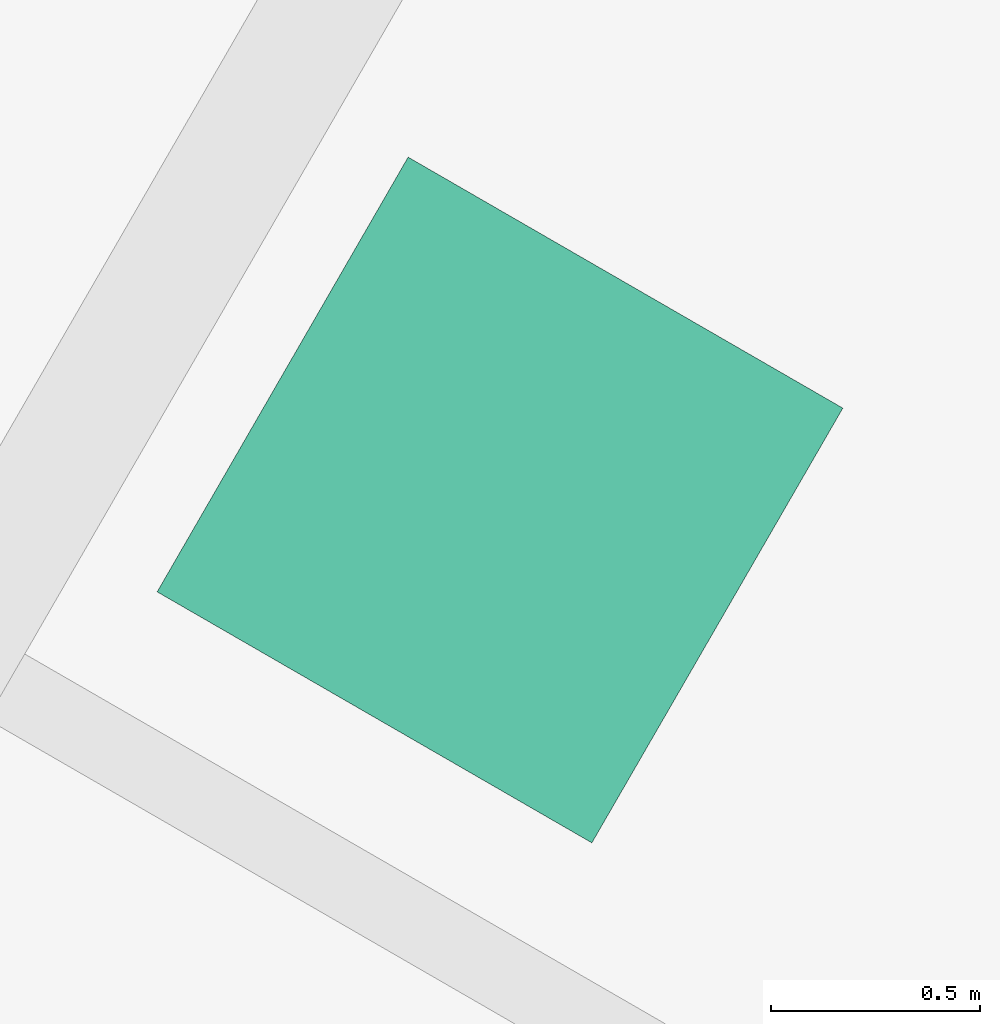
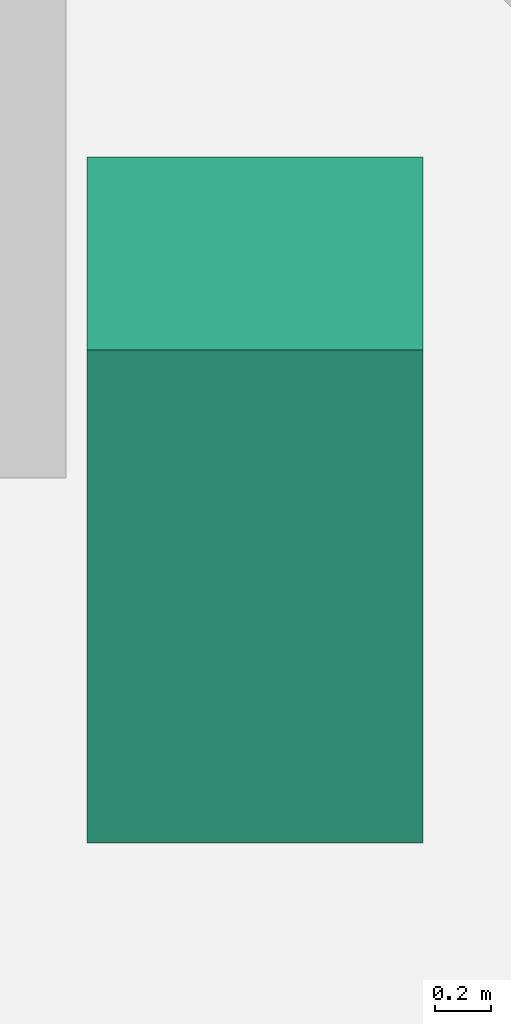
# One storey, part 9 of 9: 1 tank.
"""IFC4 building model written with IfcOpenShell, lengths in metres."""

import ifcopenshell
import ifcopenshell.guid

model = None  # the IFC model being written
_history = None  # IfcOwnerHistory: only IFC2X3 demands one
_inside = {}  # id of a spatial element -> (the spatial element, [elements in it])
_under = {}  # id of a project, library or spatial element -> (it, [spatial elements below it])
_declared = {}  # id of a project -> (the project, [libraries it declares])
_typed = {}  # id of a type object -> (the type object, [elements of that type])
_made_of = {}  # id of a material, layer set ... -> (it, [elements and type objects made of it])


def new_model(schema):
    """Start an empty IFC model of exactly this schema.

    Asked for "IFC4X3", IfcOpenShell would pick the latest addendum, in which some entities
    have other attributes; the version numbers below select the first issue.
    IFC2X3 requires an IfcOwnerHistory on every rooted entity: one is made here for all.
    """
    global model, _history
    if schema == "IFC4X3":
        model = ifcopenshell.file(schema_version=(4, 3, 0, 0))
    else:
        model = ifcopenshell.file(schema=schema)
    _inside.clear()
    _under.clear()
    _declared.clear()
    _typed.clear()
    _made_of.clear()
    _history = None
    if model.schema == "IFC2X3":
        org = make("IfcOrganization", Name="unknown")
        user = make(
            "IfcPersonAndOrganization",
            ThePerson=make("IfcPerson", FamilyName="unknown"),
            TheOrganization=org,
        )
        app = make(
            "IfcApplication",
            ApplicationDeveloper=org,
            Version="unknown",
            ApplicationFullName="unknown",
            ApplicationIdentifier="unknown",
        )
        _history = make(
            "IfcOwnerHistory",
            OwningUser=user,
            OwningApplication=app,
            ChangeAction="ADDED",
            CreationDate=0,
        )
    return model


def make(cls, **values):
    """One entity of the class cls with the attributes given. An attribute that is None is left unset."""
    return model.create_entity(
        cls, **{name: value for name, value in values.items() if value is not None}
    )


def rooted(cls, **values):
    """An entity with a GlobalId (a new one), such as an element, a storey or a relation."""
    return make(cls, GlobalId=ifcopenshell.guid.new(), OwnerHistory=_history, **values)


def si_unit(unit_type, name, prefix=None):
    """IfcSIUnit, for example si_unit("LENGTHUNIT", "METRE", prefix="MILLI")."""
    return make("IfcSIUnit", UnitType=unit_type, Prefix=prefix, Name=name)


def assignment(units):
    """IfcUnitAssignment: the units of a project."""
    return None if units is None else make("IfcUnitAssignment", Units=units)


def point(xyz):
    """IfcCartesianPoint."""
    return None if xyz is None else make("IfcCartesianPoint", Coordinates=xyz)


def direction(xyz):
    """IfcDirection."""
    return None if xyz is None else make("IfcDirection", DirectionRatios=xyz)


def frame(location, z_axis=None, x_axis=None):
    """IfcAxis2Placement3D, a coordinate frame: its origin and axes. An axis left out is left unset."""
    return make(
        "IfcAxis2Placement3D",
        Location=point(location),
        Axis=direction(z_axis),
        RefDirection=direction(x_axis),
    )


def frame_2d(location, x_axis=None):
    """IfcAxis2Placement2D, a coordinate frame in the plane: its origin and x axis."""
    return make(
        "IfcAxis2Placement2D", Location=point(location), RefDirection=direction(x_axis)
    )


def origin():
    """The frame at (0, 0, 0) with its axes left unset."""
    return frame((0.0, 0.0, 0.0))


def origin_2d():
    """The frame at (0, 0) in the plane with its x axis left unset."""
    return frame_2d((0.0, 0.0))


def place(relative_to, where):
    """IfcLocalPlacement: puts the frame where relative to a parent placement (None: the world)."""
    return make(
        "IfcLocalPlacement", PlacementRelTo=relative_to, RelativePlacement=where
    )


def context(
    kind, dimensions, precision=None, world=None, true_north=None, identifier=None
):
    """IfcGeometricRepresentationContext, for example the 3D "Model" context."""
    return make(
        "IfcGeometricRepresentationContext",
        ContextIdentifier=identifier,
        ContextType=kind,
        CoordinateSpaceDimension=dimensions,
        Precision=precision,
        WorldCoordinateSystem=world,
        TrueNorth=true_north,
    )


def subcontext(parent, identifier, kind, view, scale=None):
    """IfcGeometricRepresentationSubContext, for example "Body" below "Model"."""
    return make(
        "IfcGeometricRepresentationSubContext",
        ContextIdentifier=identifier,
        ContextType=kind,
        ParentContext=parent,
        TargetScale=scale,
        TargetView=view,
    )


def project(units=None, contexts=None):
    """IfcProject with its units and contexts."""
    return rooted(
        "IfcProject",
        Name="project",
        RepresentationContexts=contexts,
        UnitsInContext=assignment(units),
    )


def spatial(cls, under=None, at=None, **own):
    """A site, building, storey or space (cls), placed at a placement, below another one or the project."""
    s = rooted(cls, ObjectPlacement=at, **own)
    if under is not None:
        _under.setdefault(under.id(), (under, []))[1].append(s)
    return s


def profile(cls, at=None, kind="AREA", **sizes):
    """A parametric profile (cls). Its sizes go by their IFC names, for example OverallWidth=200.0."""
    return make(cls, ProfileType=kind, Position=at, **sizes)


def rectangle(**sizes):
    """IfcRectangleProfileDef."""
    return profile("IfcRectangleProfileDef", **sizes)


def extrude(swept, where, along, depth):
    """IfcExtrudedAreaSolid: the profile swept, set in the frame where, extruded along a direction by depth."""
    return make(
        "IfcExtrudedAreaSolid",
        SweptArea=swept,
        Position=where,
        ExtrudedDirection=direction(along),
        Depth=depth,
    )


def shape(context_of_items, identifier, shape_type, items):
    """IfcShapeRepresentation: the items that make up one representation, for example the "Body"."""
    return make(
        "IfcShapeRepresentation",
        ContextOfItems=context_of_items,
        RepresentationIdentifier=identifier,
        RepresentationType=shape_type,
        Items=items,
    )


def material(Name=None, Category=None):
    """IfcMaterial."""
    return make("IfcMaterial", Name=Name, Category=Category)


def made_of(thing, what):
    """Note that an element or type object is made of a material, layer set ...; save() writes the relation."""
    if what is not None:
        _made_of.setdefault(what.id(), (what, []))[1].append(thing)
    return thing


def type_object(cls, material=None, **own):
    """A type object (cls), such as IfcWallType, which elements share."""
    return made_of(rooted(cls, **own), material)


def element(
    cls,
    number,
    at=None,
    inside=None,
    cuts=None,
    type_object=None,
    material=None,
    context=None,
    identifier="Body",
    shape_type=None,
    held_by="IfcProductDefinitionShape",
    body=None,
    shapes=None,
    **own,
):
    """One element of the class cls, such as IfcWall. Its Tag is "e" and its number.

    at: its placement. inside: the storey or other place that contains it. cuts: it is an
    opening in that element (IfcRelVoidsElement). A single representation is given by context,
    identifier, shape_type and body (its items); several are given by shapes. held_by: the class
    of the entity that holds the representations. save() writes the other relations.
    """
    e = rooted(cls, Tag="e%d" % number, ObjectPlacement=at, **own)
    if body is not None:
        shapes = [shape(context, identifier, shape_type, body)]
    if shapes is not None:
        e.Representation = make(held_by, Representations=shapes)
    if inside is not None:
        _inside.setdefault(inside.id(), (inside, []))[1].append(e)
    if cuts is not None:
        rooted(
            "IfcRelVoidsElement", RelatingBuildingElement=cuts, RelatedOpeningElement=e
        )
    if type_object is not None:
        _typed.setdefault(type_object.id(), (type_object, []))[1].append(e)
    return made_of(e, material)


def aggregate(whole, parts):
    """IfcRelAggregates: a whole, such as a stair, and the parts it consists of."""
    return rooted("IfcRelAggregates", RelatingObject=whole, RelatedObjects=parts)


def save(model, path):
    """Write the relations noted so far, then the file.

    IfcRelAggregates (storeys below a building ...), IfcRelContainedInSpatialStructure (elements
    in a storey), IfcRelDefinesByType, IfcRelAssociatesMaterial and IfcRelDeclares: one each for
    every whole, place, type object, material and project.
    """
    for whole, parts in _under.values():
        aggregate(whole, parts)
    for where, things in _inside.values():
        rooted(
            "IfcRelContainedInSpatialStructure",
            RelatedElements=things,
            RelatingStructure=where,
        )
    for kind, things in _typed.values():
        rooted("IfcRelDefinesByType", RelatedObjects=things, RelatingType=kind)
    for what, things in _made_of.values():
        rooted("IfcRelAssociatesMaterial", RelatedObjects=things, RelatingMaterial=what)
    for by, libraries in _declared.values():
        rooted("IfcRelDeclares", RelatingContext=by, RelatedDefinitions=libraries)
    model.write(path)


model = new_model("IFC4")

# Units and contexts
model_context = context("Model", 3, precision=1e-05, world=origin(), true_north=direction((0.0, 1.0)))
body_context = subcontext(model_context, "Body", "Model", "MODEL_VIEW")
ifc_project = project(units=[si_unit("LENGTHUNIT", "METRE"), si_unit("AREAUNIT", "SQUARE_METRE"), si_unit("VOLUMEUNIT", "CUBIC_METRE"), si_unit("PLANEANGLEUNIT", "RADIAN"), si_unit("MASSUNIT", "GRAM", prefix="KILO")], contexts=[model_context])

# Site, building, storey
site_placement = place(None, origin())
site = spatial("IfcSite", under=ifc_project, at=site_placement, CompositionType="ELEMENT")
building_placement = place(site_placement, origin())
building = spatial("IfcBuilding", under=site, at=building_placement, Name="Apuvela Tower Hotel", CompositionType="ELEMENT")
storey_placement = place(building_placement, frame((0.0, 0.0, 343.300048828125)))
storey = spatial("IfcBuildingStorey", under=building, at=storey_placement, Name="R-1 ROOF", CompositionType="ELEMENT", Elevation=343.300048828125)

# Tank
ifc_material = material(Name="Painted sheet metal casing")
tank_type = type_object("IfcTankType", Name="SPC-EQ-Pressure vessel", PredefinedType="PRESSUREVESSEL", material=ifc_material)
tank_placement = place(storey_placement, frame((-8.594970703125, 9.465576171875, 0.0), z_axis=(0.0, 0.0, 1.0), x_axis=(-0.5, -0.866025403784, 0.0)))
element("IfcTank", 1, at=tank_placement, inside=storey, type_object=tank_type, Name="Pressure vessel RP-NW1.1", PredefinedType="PRESSUREVESSEL", context=body_context, shape_type="SweptSolid", body=[
    extrude(rectangle(XDim=1.199951171875, YDim=1.199951171875, at=origin_2d()), origin(), (0.0, 0.0, 1.0), 2.14990234375),
])

save(model, "model.ifc")
